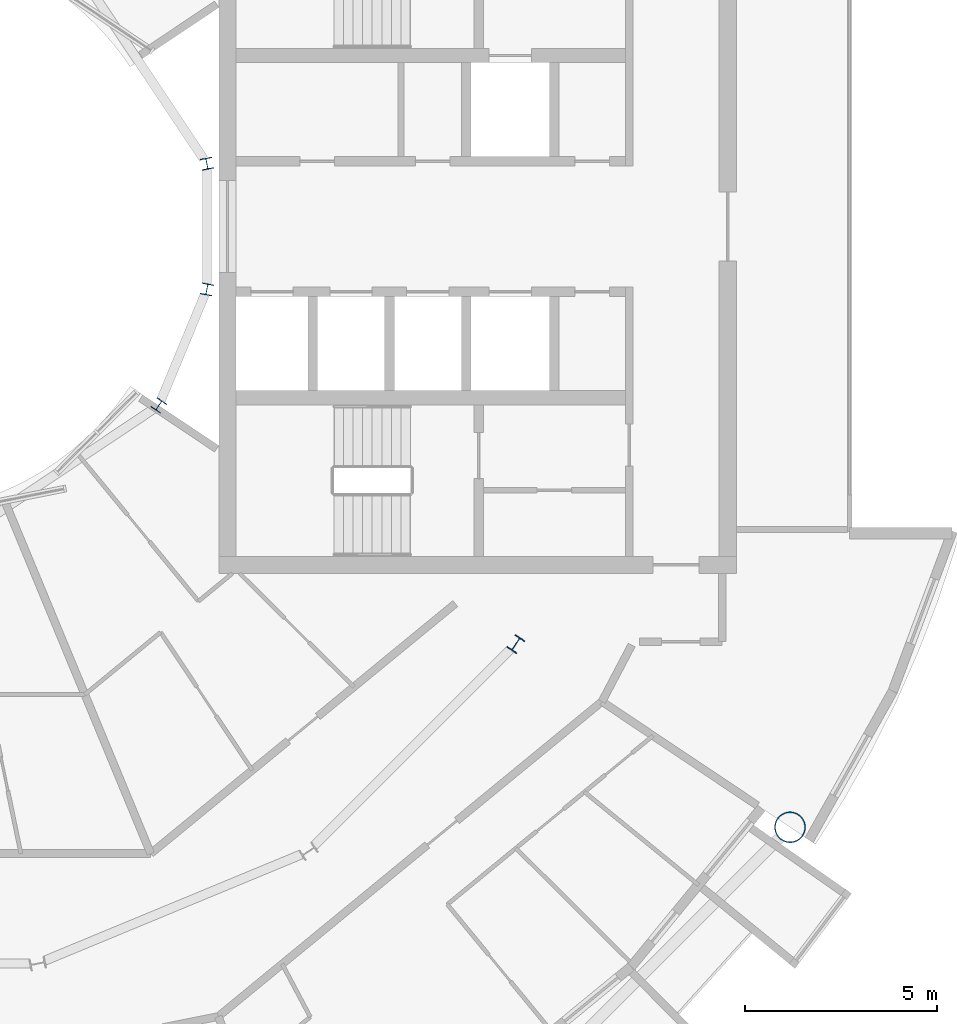
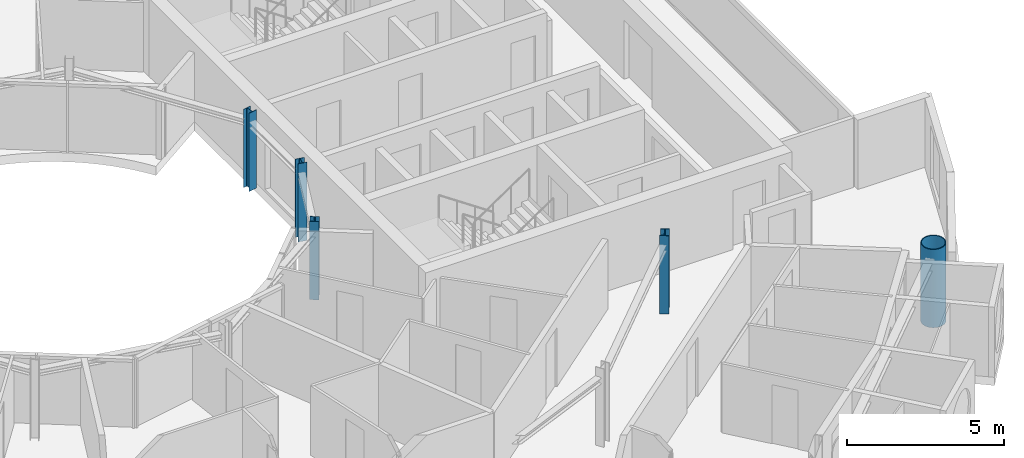
# One storey, part 3 of 28: 5 columns.
"""IFC4 building model written with IfcOpenShell, lengths in metres."""

from ifc_helpers import new_model, si_unit, direction, frame, origin, origin_2d, place, context, subcontext, project, spatial, hollow_circle, i_section, extrude, material, material_profile, profile_set, type_object, element, save


model = new_model("IFC4")

# Units and contexts
model_context = context("Model", 3, precision=1e-05, world=origin(), true_north=direction((0.0, 1.0)))
body_context = subcontext(model_context, "Body", "Model", "MODEL_VIEW")
ifc_project = project(units=[si_unit("LENGTHUNIT", "METRE"), si_unit("AREAUNIT", "SQUARE_METRE"), si_unit("VOLUMEUNIT", "CUBIC_METRE"), si_unit("PLANEANGLEUNIT", "RADIAN"), si_unit("MASSUNIT", "GRAM", prefix="KILO")], contexts=[model_context])

# Site, building, storey
site_placement = place(None, origin())
site = spatial("IfcSite", under=ifc_project, at=site_placement, CompositionType="ELEMENT")
building_placement = place(site_placement, origin())
building = spatial("IfcBuilding", under=site, at=building_placement, Name="Maasbend Ring Residences", CompositionType="ELEMENT")
storey_placement = place(building_placement, frame((0.0, 0.0, 196.300048828125)))
storey = spatial("IfcBuildingStorey", under=building, at=storey_placement, Name="L56", CompositionType="ELEMENT", Elevation=196.300048828125)

# Columns
ifc_material_1 = material(Name="Composite concrete-filled steel tube S460NH / C80/95", Category="concrete")
ifc_material_profile_1 = material_profile(ifc_material_1, hollow_circle(Radius=0.406494140625, WallThickness=0.030029296875, at=origin_2d()), Name="Composite tube column CHS 813x30")
ifc_profile_set_1 = profile_set([ifc_material_profile_1], Name="Composite concrete-filled steel tube S460NH / C80/95")
column_type_1 = type_object("IfcColumnType", Name="Composite tube column CHS 813x30", PredefinedType="COLUMN", material=ifc_profile_set_1)
column_1_placement = place(storey_placement, frame((23.447509765625, -15.6669921875, 0.0), z_axis=(0.0, 0.0, 1.0), x_axis=(1.0, 0.0, 0.0)))
element("IfcColumn", 1, at=column_1_placement, inside=storey, type_object=column_type_1, Name="Outer column R15", PredefinedType="COLUMN", context=body_context, shape_type="SweptSolid", body=[
    extrude(hollow_circle(Radius=0.406494140625, WallThickness=0.030029296875, at=origin_2d()), origin(), (0.0, 0.0, 1.0), 3.050048828125),
])
ifc_material_2 = material(Name="Steel S355J2", Category="steel")
ifc_material_profile_2 = material_profile(ifc_material_2, i_section(OverallWidth=0.300048828125, OverallDepth=0.2900390625, WebThickness=0.008544921875, FlangeThickness=0.013916015625, FilletRadius=0.027099609375, at=origin_2d()), Name="HEA 300")
ifc_profile_set_2 = profile_set([ifc_material_profile_2], Name="Steel S355J2")
column_type_2 = type_object("IfcColumnType", Name="Steel column HEA 300", PredefinedType="COLUMN", material=ifc_profile_set_2)
for number, where, z_axis, x_axis, name in (
    (2, (8.238525390625, 1.638916015625, 0.0), (0.0, 0.0, 1.0), (0.980785280403, 0.195090322016, 0.0), "Well ring column R1"),
    (3, (6.984375, -4.666748046875, 0.0), (0.0, 0.0, 1.0), (0.831469612303, -0.55557023302, 0.0), "Well ring column R15"),
    (4, (8.238525390625, -1.638916015625, 0.0), (0.0, 0.0, 1.0), (0.980785280403, -0.195090322016, 0.0), "Well ring column R16"),
):
    element("IfcColumn", number, at=place(storey_placement, frame(where, z_axis=z_axis, x_axis=x_axis)), inside=storey, type_object=column_type_2, Name=name, PredefinedType="COLUMN", context=body_context, shape_type="SweptSolid", body=[
        extrude(i_section(OverallWidth=0.300048828125, OverallDepth=0.2900390625, WebThickness=0.008544921875, FlangeThickness=0.013916015625, FilletRadius=0.027099609375, at=origin_2d()), origin(), (0.0, 0.0, 1.0), 3.050048828125),
    ])
ifc_material_3 = material(Name="Steel S355J2", Category="steel")
ifc_material_profile_3 = material_profile(ifc_material_3, i_section(OverallWidth=0.300048828125, OverallDepth=0.39990234375, WebThickness=0.013427734375, FlangeThickness=0.02392578125, FilletRadius=0.027099609375, at=origin_2d()), Name="HEB 400")
ifc_profile_set_3 = profile_set([ifc_material_profile_3], Name="Steel S355J2")
column_type_3 = type_object("IfcColumnType", Name="Steel column HEB 400", PredefinedType="COLUMN", material=ifc_profile_set_3)
column_2_placement = place(storey_placement, frame((16.296875, -10.88916015625, 0.0), z_axis=(0.0, 0.0, 1.0), x_axis=(0.831469612303, -0.55557023302, 0.0)))
element("IfcColumn", 5, at=column_2_placement, inside=storey, type_object=column_type_3, Name="Corridor ring column R15", PredefinedType="COLUMN", context=body_context, shape_type="SweptSolid", body=[
    extrude(i_section(OverallWidth=0.300048828125, OverallDepth=0.39990234375, WebThickness=0.013427734375, FlangeThickness=0.02392578125, FilletRadius=0.027099609375, at=origin_2d()), origin(), (0.0, 0.0, 1.0), 3.050048828125),
])

save(model, "model.ifc")
